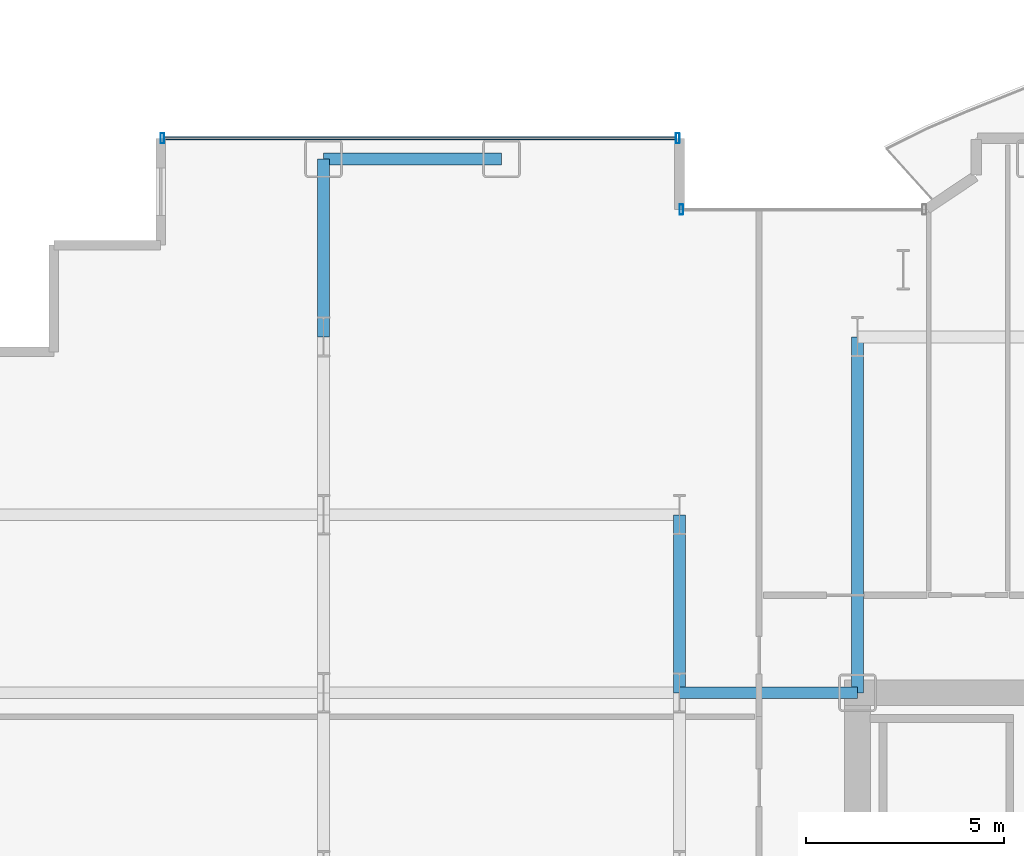
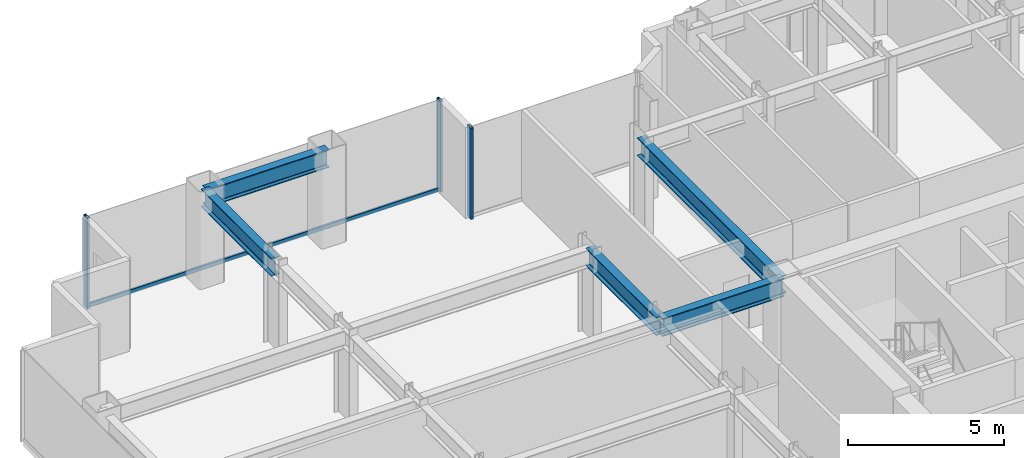
# One storey, part 12 of 29: 5 beams, 4 members, 2 elements without a shape of their own.
"""IFC4 building model written with IfcOpenShell, lengths in metres."""

from ifc_helpers import new_model, si_unit, direction, frame, origin, origin_2d, place, context, subcontext, project, spatial, hollow_rectangle, i_section, extrude, source, transform, mapped, material, layer, layer_set, material_profile, profile_set, type_object, element, aggregate, save


model = new_model("IFC4")

# Units and contexts
model_context = context("Model", 3, precision=1e-05, world=origin(), true_north=direction((0.0, 1.0)))
body_context = subcontext(model_context, "Body", "Model", "MODEL_VIEW")
ifc_project = project(units=[si_unit("LENGTHUNIT", "METRE"), si_unit("AREAUNIT", "SQUARE_METRE"), si_unit("VOLUMEUNIT", "CUBIC_METRE"), si_unit("PLANEANGLEUNIT", "RADIAN"), si_unit("MASSUNIT", "GRAM", prefix="KILO")], contexts=[model_context])

# Site, building, storey
site_placement = place(None, origin())
site = spatial("IfcSite", under=ifc_project, at=site_placement, CompositionType="ELEMENT")
building_placement = place(site_placement, origin())
building = spatial("IfcBuilding", under=site, at=building_placement, Name="Nefas-Gora Pilgrimage Tower", CompositionType="ELEMENT")
storey_placement = place(building_placement, frame((0.0, 0.0, 44.39990234375)))
storey = spatial("IfcBuildingStorey", under=building, at=storey_placement, Name="L09", CompositionType="ELEMENT", Elevation=44.39990234375)

# Beams
ifc_material_1 = material(Name="Steel S355", Category="steel")
ifc_material_profile_1 = material_profile(ifc_material_1, i_section(OverallWidth=0.300048828125, OverallDepth=0.699951171875, WebThickness=0.01708984375, FlangeThickness=0.031982421875, FilletRadius=0.027099609375, at=origin_2d()), Name="HEB 700")
ifc_profile_set_1 = profile_set([ifc_material_profile_1], Name="Steel S355")
beam_type_1 = type_object("IfcBeamType", Name="BM-SPN-HEB600", PredefinedType="SPANDREL", material=ifc_profile_set_1)
shared_shape_1 = source(origin(), body_context, "Body", "SweptSolid", [
    extrude(i_section(OverallWidth=0.300048828125, OverallDepth=0.699951171875, WebThickness=0.01708984375, FlangeThickness=0.031982421875, FilletRadius=0.027099609375, at=origin_2d()), origin(), (0.0, 0.0, 1.0), 4.5),
])
beam_1_placement = place(storey_placement, frame((-24.75, 22.5, 3.2001953125), z_axis=(1.0, 0.0, 0.0), x_axis=(0.0, 1.0, 0.0)))
element("IfcBeam", 1, at=beam_1_placement, inside=storey, type_object=beam_type_1, Name="L09 SP-01 beam", PredefinedType="SPANDREL", context=body_context, shape_type="MappedRepresentation", body=[
    mapped(shared_shape_1, transform((0.0, 0.0, 0.0), x_axis=(1.0, 0.0, 0.0), y_axis=(0.0, 1.0, 0.0), z_axis=(0.0, 0.0, 1.0), scale=1.0)),
])
ifc_material_profile_2 = material_profile(ifc_material_1, i_section(OverallWidth=0.300048828125, OverallDepth=0.699951171875, WebThickness=0.01708984375, FlangeThickness=0.031982421875, FilletRadius=0.027099609375, at=origin_2d()), Name="HEB 700")
ifc_profile_set_2 = profile_set([ifc_material_profile_2], Name="Steel S355")
beam_type_2 = type_object("IfcBeamType", Name="BM-GIR-HEB700", PredefinedType="BEAM", material=ifc_profile_set_2)
shared_shape_2 = source(origin(), body_context, "Body", "SweptSolid", [
    extrude(i_section(OverallWidth=0.300048828125, OverallDepth=0.699951171875, WebThickness=0.01708984375, FlangeThickness=0.031982421875, FilletRadius=0.027099609375, at=origin_2d()), origin(), (0.0, 0.0, 1.0), 9.0),
])
beam_2_placement = place(storey_placement, frame((-11.25, 9.0, 3.2001953125), z_axis=(0.0, 1.0, 0.0), x_axis=(-1.0, 0.0, 0.0)))
element("IfcBeam", 2, at=beam_2_placement, inside=storey, type_object=beam_type_2, Name="L09 G-02 beam", PredefinedType="BEAM", context=body_context, shape_type="MappedRepresentation", body=[
    mapped(shared_shape_2, transform((0.0, 0.0, 0.0), x_axis=(1.0, 0.0, 0.0), y_axis=(0.0, 1.0, 0.0), z_axis=(0.0, 0.0, 1.0), scale=1.0)),
])
shared_shape_3 = source(origin(), body_context, "Body", "SweptSolid", [
    extrude(i_section(OverallWidth=0.300048828125, OverallDepth=0.699951171875, WebThickness=0.01708984375, FlangeThickness=0.031982421875, FilletRadius=0.027099609375, at=origin_2d()), origin(), (0.0, 0.0, 1.0), 4.5),
])
for number, where, z_axis, x_axis, name in (
    (3, (-24.75, 18.0, 3.2001953125), (0.0, 1.0, 0.0), (-1.0, 0.0, 0.0), "L09 G-02 beam"),
    (4, (-15.75, 9.0, 3.2001953125), (0.0, 1.0, 0.0), (-1.0, 0.0, 0.0), "L09 G-02 beam"),
    (5, (-15.75, 9.0, 3.2001953125), (1.0, 0.0, 0.0), (0.0, 1.0, 0.0), "L09 G-02 beam"),
):
    element("IfcBeam", number, at=place(storey_placement, frame(where, z_axis=z_axis, x_axis=x_axis)), inside=storey, type_object=beam_type_2, Name=name, PredefinedType="BEAM", context=body_context, shape_type="MappedRepresentation", body=[
        mapped(shared_shape_3, transform((0.0, 0.0, 0.0), x_axis=(1.0, 0.0, 0.0), y_axis=(0.0, 1.0, 0.0), z_axis=(0.0, 0.0, 1.0), scale=1.0)),
    ])

# Curtain wall, member
ifc_material_2 = material(Name="Dark ceramic-fritted solar-control aluminium-glass curtain wall", Category="aluminium")
ifc_layer_1 = layer(ifc_material_2, 0.219970703125)
ifc_layer_set_1 = layer_set([ifc_layer_1], Name="Dark ceramic-fritted solar-control aluminium-glass curtain wall")
curtain_wall_type_1 = type_object("IfcCurtainWallType", Name="CW-SYS-5", PredefinedType="NOTDEFINED", material=ifc_layer_set_1)
curtain_wall_1_placement = place(storey_placement, origin())
curtain_wall_1 = element("IfcCurtainWall", 6, at=curtain_wall_1_placement, inside=storey, type_object=curtain_wall_type_1, Name="L09 Unitised Curtain Wall CW5", PredefinedType="NOTDEFINED")
ifc_material_3 = material(Name="Anodised architectural aluminium", Category="aluminium")
ifc_material_profile_3 = material_profile(ifc_material_3, hollow_rectangle(XDim=0.090087890625, YDim=0.260009765625, WallThickness=0.006103515625, InnerFilletRadius=0.006103515625, OuterFilletRadius=0.011962890625, at=origin_2d()), Name="ALU MULLION 90x260")
ifc_profile_set_3 = profile_set([ifc_material_profile_3], Name="Anodised architectural aluminium")
member_type_1 = type_object("IfcMemberType", Name="CWM-MUL-5", PredefinedType="MULLION", material=ifc_profile_set_3)
shared_shape_4 = source(origin(), body_context, "Body", "SweptSolid", [
    extrude(hollow_rectangle(XDim=0.090087890625, YDim=0.260009765625, WallThickness=0.006103515625, InnerFilletRadius=0.006103515625, OuterFilletRadius=0.011962890625, at=origin_2d()), origin(), (0.0, 0.0, 1.0), 3.550048828125),
])
member_1_placement = place(storey_placement, frame((-15.705078125, 21.219970703125, 0.0), z_axis=(0.0, 0.0, 1.0), x_axis=(-1.0, 0.0, 0.0)))
member_1 = element("IfcMember", 7, at=member_1_placement, type_object=member_type_1, Name="CW5 Mullion 2", PredefinedType="MULLION", context=body_context, shape_type="MappedRepresentation", body=[
    mapped(shared_shape_4, transform((0.0, 0.0, 0.0), x_axis=(1.0, 0.0, 0.0), y_axis=(0.0, 1.0, 0.0), z_axis=(0.0, 0.0, 1.0), scale=1.0)),
])
aggregate(curtain_wall_1, [member_1])

# Curtain wall, members
ifc_layer_2 = layer(ifc_material_2, 0.219970703125)
ifc_layer_set_2 = layer_set([ifc_layer_2], Name="Dark ceramic-fritted solar-control aluminium-glass curtain wall")
curtain_wall_type_2 = type_object("IfcCurtainWallType", Name="CW-SYS-2", PredefinedType="NOTDEFINED", material=ifc_layer_set_2)
curtain_wall_2_placement = place(storey_placement, origin())
curtain_wall_2 = element("IfcCurtainWall", 8, at=curtain_wall_2_placement, inside=storey, type_object=curtain_wall_type_2, Name="L09 Unitised Curtain Wall CW2", PredefinedType="NOTDEFINED")
ifc_material_profile_4 = material_profile(ifc_material_3, hollow_rectangle(XDim=0.090087890625, YDim=0.260009765625, WallThickness=0.006103515625, InnerFilletRadius=0.006103515625, OuterFilletRadius=0.011962890625, at=origin_2d()), Name="ALU MULLION 90x260")
ifc_profile_set_4 = profile_set([ifc_material_profile_4], Name="Anodised architectural aluminium")
member_type_2 = type_object("IfcMemberType", Name="CWM-MUL-2", PredefinedType="MULLION", material=ifc_profile_set_4)
shared_shape_5 = source(origin(), body_context, "Body", "SweptSolid", [
    extrude(hollow_rectangle(XDim=0.090087890625, YDim=0.260009765625, WallThickness=0.006103515625, InnerFilletRadius=0.006103515625, OuterFilletRadius=0.011962890625, at=origin_2d()), origin(), (0.0, 0.0, 1.0), 3.550048828125),
])
member_2_placement = place(storey_placement, frame((-15.794921875, 23.02001953125, 0.0), z_axis=(0.0, 0.0, 1.0), x_axis=(-1.0, 0.0, 0.0)))
member_2 = element("IfcMember", 9, at=member_2_placement, type_object=member_type_2, Name="CW2 Mullion 1", PredefinedType="MULLION", context=body_context, shape_type="MappedRepresentation", body=[
    mapped(shared_shape_5, transform((0.0, 0.0, 0.0), x_axis=(1.0, 0.0, 0.0), y_axis=(0.0, 1.0, 0.0), z_axis=(0.0, 0.0, 1.0), scale=1.0)),
])
member_3_placement = place(storey_placement, frame((-28.824951171875, 23.02001953125, 0.0), z_axis=(0.0, 0.0, 1.0), x_axis=(-1.0, 0.0, 0.0)))
member_3 = element("IfcMember", 10, at=member_3_placement, type_object=member_type_2, Name="CW2 Mullion 2", PredefinedType="MULLION", context=body_context, shape_type="MappedRepresentation", body=[
    mapped(shared_shape_5, transform((0.0, 0.0, 0.0), x_axis=(1.0, 0.0, 0.0), y_axis=(0.0, 1.0, 0.0), z_axis=(0.0, 0.0, 1.0), scale=1.0)),
])
ifc_material_profile_5 = material_profile(ifc_material_3, hollow_rectangle(XDim=0.080078125, YDim=0.159912109375, WallThickness=0.00439453125, InnerFilletRadius=0.00439453125, OuterFilletRadius=0.009033203125, at=origin_2d()), Name="ALU TRANSOM 80x160")
ifc_profile_set_5 = profile_set([ifc_material_profile_5], Name="Anodised architectural aluminium")
member_type_3 = type_object("IfcMemberType", Name="CWM-TRN-2", PredefinedType="USERDEFINED", material=ifc_profile_set_5)
shared_shape_6 = source(origin(), body_context, "Body", "SweptSolid", [
    extrude(hollow_rectangle(XDim=0.080078125, YDim=0.159912109375, WallThickness=0.00439453125, InnerFilletRadius=0.00439453125, OuterFilletRadius=0.009033203125, at=origin_2d()), origin(), (0.0, 0.0, 1.0), 12.93994140625),
])
member_4_placement = place(storey_placement, frame((-15.840087890625, 23.02001953125, 0.050048828125), z_axis=(-1.0, 0.0, 0.0), x_axis=(0.0, -1.0, 0.0)))
member_4 = element("IfcMember", 11, at=member_4_placement, type_object=member_type_3, Name="CW2 Spandrel Transom", ObjectType="TRANSOM", PredefinedType="USERDEFINED", context=body_context, shape_type="MappedRepresentation", body=[
    mapped(shared_shape_6, transform((0.0, 0.0, 0.0), x_axis=(1.0, 0.0, 0.0), y_axis=(0.0, 1.0, 0.0), z_axis=(0.0, 0.0, 1.0), scale=1.0)),
])
aggregate(curtain_wall_2, [member_2, member_3, member_4])

save(model, "model.ifc")
